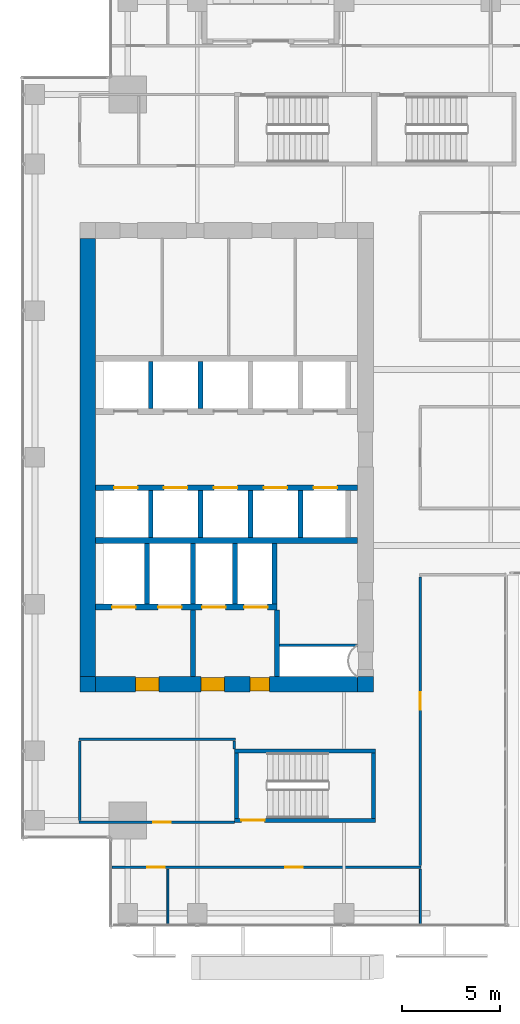
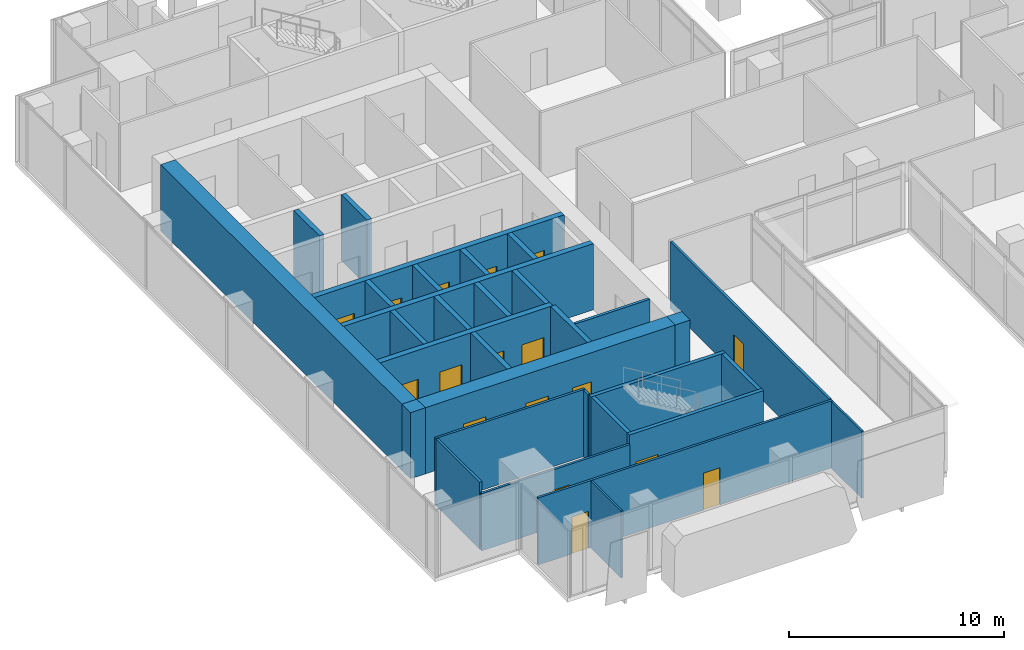
# One storey, part 34 of 40: 32 walls, 17 doors, 17 openings.
"""IFC4 building model written with IfcOpenShell, lengths in metres."""

from ifc_helpers import new_model, si_unit, direction, frame, frame_2d, origin, place, context, subcontext, project, spatial, rectangle, extrude, source, transform, mapped, material, layer, layer_set, type_object, element, fill, save


model = new_model("IFC4")

# Units and contexts
model_context = context("Model", 3, precision=1e-05, world=origin(), true_north=direction((0.0, 1.0)))
body_context = subcontext(model_context, "Body", "Model", "MODEL_VIEW")
ifc_project = project(units=[si_unit("LENGTHUNIT", "METRE"), si_unit("AREAUNIT", "SQUARE_METRE"), si_unit("VOLUMEUNIT", "CUBIC_METRE"), si_unit("PLANEANGLEUNIT", "RADIAN"), si_unit("MASSUNIT", "GRAM", prefix="KILO")], contexts=[model_context])

# Site, building, storey
site_placement = place(None, origin())
site = spatial("IfcSite", under=ifc_project, at=site_placement, CompositionType="ELEMENT")
building_placement = place(site_placement, origin())
building = spatial("IfcBuilding", under=site, at=building_placement, Name="Khomas Fold Tower", CompositionType="ELEMENT")
storey_placement = place(building_placement, frame((0.0, 0.0, 180.699951171875)))
storey = spatial("IfcBuildingStorey", under=building, at=storey_placement, Name="L39", CompositionType="ELEMENT", Elevation=180.699951171875)

# Wall, openings, doors
ifc_material_1 = material(Name="Concrete C60/75", Category="concrete")
ifc_layer_1 = layer(ifc_material_1, 0.800048828125)
ifc_layer_set_1 = layer_set([ifc_layer_1], Name="Concrete C60/75")
wall_type_1 = type_object("IfcWallType", Name="Core wall 800", PredefinedType="SHEAR", material=ifc_layer_set_1)
shared_shape_1 = source(origin(), body_context, "Body", "SweptSolid", [
    extrude(rectangle(XDim=13.39990234375, YDim=0.800048828125, at=frame_2d((6.699951171875, 0.0))), origin(), (0.0, 0.0, 1.0), 3.75),
])
wall_1_placement = place(storey_placement, frame((6.800048828125, 15.39990234375, 0.0), z_axis=(0.0, 0.0, 1.0), x_axis=(1.0, 0.0, 0.0)))
wall_1 = element("IfcWall", 1, at=wall_1_placement, inside=storey, type_object=wall_type_1, Name="Core wall CW-U-S-L35", PredefinedType="SHEAR", context=body_context, shape_type="MappedRepresentation", body=[
    mapped(shared_shape_1, transform((0.0, 0.0, 0.0))),
])
shared_shape_2 = source(origin(), body_context, "Body", "SweptSolid", [
    extrude(rectangle(XDim=1.199951171875, YDim=2.10009765625, at=frame_2d((0.60009765625, 1.050048828125))), frame((0.0, 0.409912109375, 0.0), z_axis=(0.0, -1.0, 0.0), x_axis=(1.0, 0.0, 0.0)), (0.0, 0.0, 1.0), 0.820068359375),
])
opening_1_placement = place(wall_1_placement, frame((5.39990234375, 0.0, 0.0)))
opening_1 = element("IfcOpeningElement", 2, at=opening_1_placement, cuts=wall_1, Name="Opening 0009", PredefinedType="OPENING", context=body_context, shape_type="MappedRepresentation", body=[
    mapped(shared_shape_2, transform((0.0, 0.0, 0.0))),
])
opening_2_placement = place(wall_1_placement, frame((2.050048828125, 0.0, 0.0)))
opening_2 = element("IfcOpeningElement", 3, at=opening_2_placement, cuts=wall_1, Name="Opening 0009", PredefinedType="OPENING", context=body_context, shape_type="MappedRepresentation", body=[
    mapped(shared_shape_2, transform((0.0, 0.0, 0.0))),
])
shared_shape_3 = source(origin(), body_context, "Body", "SweptSolid", [
    extrude(rectangle(XDim=1.0, YDim=2.10009765625, at=frame_2d((0.5, 1.050048828125))), frame((0.0, 0.409912109375, 0.0), z_axis=(0.0, -1.0, 0.0), x_axis=(1.0, 0.0, 0.0)), (0.0, 0.0, 1.0), 0.820068359375),
])
opening_3_placement = place(wall_1_placement, frame((7.89990234375, 0.0, 0.0)))
opening_3 = element("IfcOpeningElement", 4, at=opening_3_placement, cuts=wall_1, Name="Opening 0010", PredefinedType="OPENING", context=body_context, shape_type="MappedRepresentation", body=[
    mapped(shared_shape_3, transform((0.0, 0.0, 0.0))),
])
ifc_material_2 = material(Name="Steel door leaf", Category="steel")
door_type_1 = type_object("IfcDoorType", Name="Lobby door 1200x2100 right-hand", OperationType="SINGLE_SWING_RIGHT", PredefinedType="DOOR", material=ifc_material_2)
shared_shape_4 = source(origin(), body_context, "Body", "SweptSolid", [
    extrude(rectangle(XDim=1.199951171875, YDim=2.10009765625, at=frame_2d((0.60009765625, 1.050048828125))), frame((0.0, 0.35009765625, 0.0), z_axis=(0.0, -1.0, 0.0), x_axis=(1.0, 0.0, 0.0)), (0.0, 0.0, 1.0), 0.699951171875),
])
door_1_placement = place(opening_1_placement, origin())
door_1 = element("IfcDoor", 5, at=door_1_placement, inside=storey, type_object=door_type_1, Name="Lobby door", OperationType="SINGLE_SWING_RIGHT", OverallHeight=2.10009765625, OverallWidth=1.199951171875, PredefinedType="DOOR", context=body_context, shape_type="MappedRepresentation", body=[
    mapped(shared_shape_4, transform((0.0, 0.0, 0.0))),
])
fill(opening_1, door_1)
door_2_placement = place(opening_2_placement, origin())
door_2 = element("IfcDoor", 6, at=door_2_placement, inside=storey, type_object=door_type_1, Name="Lobby door", OperationType="SINGLE_SWING_RIGHT", OverallHeight=2.10009765625, OverallWidth=1.199951171875, PredefinedType="DOOR", context=body_context, shape_type="MappedRepresentation", body=[
    mapped(shared_shape_4, transform((0.0, 0.0, 0.0))),
])
fill(opening_2, door_2)
ifc_material_3 = material(Name="Steel door leaf", Category="steel")
door_type_2 = type_object("IfcDoorType", Name="Stair door 1000x2100 right-hand", OperationType="SINGLE_SWING_RIGHT", PredefinedType="DOOR", material=ifc_material_3)
shared_shape_5 = source(origin(), body_context, "Body", "SweptSolid", [
    extrude(rectangle(XDim=1.0, YDim=2.10009765625, at=frame_2d((0.5, 1.050048828125))), frame((0.0, 0.35009765625, 0.0), z_axis=(0.0, -1.0, 0.0), x_axis=(1.0, 0.0, 0.0)), (0.0, 0.0, 1.0), 0.699951171875),
])
door_3_placement = place(opening_3_placement, origin())
door_3 = element("IfcDoor", 7, at=door_3_placement, inside=storey, type_object=door_type_2, Name="Stair door", OperationType="SINGLE_SWING_RIGHT", OverallHeight=2.10009765625, OverallWidth=1.0, PredefinedType="DOOR", context=body_context, shape_type="MappedRepresentation", body=[
    mapped(shared_shape_5, transform((0.0, 0.0, 0.0))),
])
fill(opening_3, door_3)

# Walls
ifc_material_4 = material(Name="Concrete C60/75", Category="concrete")
ifc_layer_2 = layer(ifc_material_4, 0.800048828125)
ifc_layer_set_2 = layer_set([ifc_layer_2], Name="Concrete C60/75")
wall_type_2 = type_object("IfcWallType", Name="Core corner wall 800", PredefinedType="SHEAR", material=ifc_layer_set_2)
shared_shape_6 = source(origin(), body_context, "Body", "SweptSolid", [
    extrude(rectangle(XDim=0.800048828125, YDim=0.800048828125, at=frame_2d((0.39990234375, 0.0))), origin(), (0.0, 0.0, 1.0), 3.75),
])
for number, where, z_axis, x_axis, name in (
    (8, (20.199951171875, 15.39990234375, 0.0), (0.0, 0.0, 1.0), (1.0, 0.0, 0.0), "Core wall CW-U-SE-L35"),
    (9, (6.0, 15.39990234375, 0.0), (0.0, 0.0, 1.0), (1.0, 0.0, 0.0), "Core wall CW-U-SW-L35"),
):
    element("IfcWall", number, at=place(storey_placement, frame(where, z_axis=z_axis, x_axis=x_axis)), inside=storey, type_object=wall_type_2, Name=name, PredefinedType="SHEAR", context=body_context, shape_type="MappedRepresentation", body=[
        mapped(shared_shape_6, transform((0.0, 0.0, 0.0))),
    ])
shared_shape_7 = source(origin(), body_context, "Body", "SweptSolid", [
    extrude(rectangle(XDim=22.39990234375, YDim=0.800048828125, at=frame_2d((11.199951171875, 0.0))), origin(), (0.0, 0.0, 1.0), 3.75),
])
wall_2_placement = place(storey_placement, frame((6.39990234375, 15.800048828125, 0.0), z_axis=(0.0, 0.0, 1.0), x_axis=(0.0, 1.0, 0.0)))
element("IfcWall", 10, at=wall_2_placement, inside=storey, type_object=wall_type_1, Name="Core wall CW-U-W-L35", PredefinedType="SHEAR", context=body_context, shape_type="MappedRepresentation", body=[
    mapped(shared_shape_7, transform((0.0, 0.0, 0.0))),
])
ifc_material_5 = material(Name="Concrete C50/60", Category="concrete")
ifc_layer_3 = layer(ifc_material_5, 0.199951171875)
ifc_layer_set_3 = layer_set([ifc_layer_3], Name="Concrete C50/60")
wall_type_3 = type_object("IfcWallType", Name="Stair wall 200", PredefinedType="SHEAR", material=ifc_layer_set_3)
shared_shape_8 = source(origin(), body_context, "Body", "SweptSolid", [
    extrude(rectangle(XDim=7.2001953125, YDim=0.199951171875, at=frame_2d((3.60009765625, 0.0))), origin(), (0.0, 0.0, 1.0), 3.75),
])
wall_3_placement = place(storey_placement, frame((13.89990234375, 12.0, 0.0), z_axis=(0.0, 0.0, 1.0), x_axis=(1.0, 0.0, 0.0)))
element("IfcWall", 11, at=wall_3_placement, inside=storey, type_object=wall_type_3, Name="Stair wall SW-ST2-NH", PredefinedType="SHEAR", context=body_context, shape_type="MappedRepresentation", body=[
    mapped(shared_shape_8, transform((0.0, 0.0, 0.0))),
])

# Wall, opening, door
wall_4_placement = place(storey_placement, frame((13.89990234375, 8.449951171875, 0.0), z_axis=(0.0, 0.0, 1.0), x_axis=(1.0, 0.0, 0.0)))
wall_4 = element("IfcWall", 12, at=wall_4_placement, inside=storey, type_object=wall_type_3, Name="Stair wall SW-ST2-S", PredefinedType="SHEAR", context=body_context, shape_type="MappedRepresentation", body=[
    mapped(shared_shape_8, transform((0.0, 0.0, 0.0))),
])
shared_shape_9 = source(origin(), body_context, "Body", "SweptSolid", [
    extrude(rectangle(XDim=1.199951171875, YDim=2.10009765625, at=frame_2d((0.60009765625, 1.050048828125))), frame((0.0, 0.10986328125, 0.0), z_axis=(0.0, -1.0, 0.0), x_axis=(1.0, 0.0, 0.0)), (0.0, 0.0, 1.0), 0.219970703125),
])
opening_4_placement = place(wall_4_placement, frame((0.35009765625, 0.0, 0.0)))
opening_4 = element("IfcOpeningElement", 13, at=opening_4_placement, cuts=wall_4, Name="Opening SD-ST2", PredefinedType="OPENING", context=body_context, shape_type="MappedRepresentation", body=[
    mapped(shared_shape_9, transform((0.0, 0.0, 0.0))),
])
ifc_material_6 = material(Name="Steel door leaf", Category="steel")
door_type_3 = type_object("IfcDoorType", Name="Stair door 1200x2100 right-hand", OperationType="SINGLE_SWING_RIGHT", PredefinedType="DOOR", material=ifc_material_6)
shared_shape_10 = source(origin(), body_context, "Body", "SweptSolid", [
    extrude(rectangle(XDim=1.199951171875, YDim=2.10009765625, at=frame_2d((0.60009765625, 1.050048828125))), frame((0.0, 0.02490234375, 0.0), z_axis=(0.0, -1.0, 0.0), x_axis=(1.0, 0.0, 0.0)), (0.0, 0.0, 1.0), 0.050048828125),
])
door_4_placement = place(opening_4_placement, origin())
door_4 = element("IfcDoor", 14, at=door_4_placement, inside=storey, type_object=door_type_3, Name="Stair door", OperationType="SINGLE_SWING_RIGHT", OverallHeight=2.10009765625, OverallWidth=1.199951171875, PredefinedType="DOOR", context=body_context, shape_type="MappedRepresentation", body=[
    mapped(shared_shape_10, transform((0.0, 0.0, 0.0))),
])
fill(opening_4, door_4)

# Walls
shared_shape_11 = source(origin(), body_context, "Body", "SweptSolid", [
    extrude(rectangle(XDim=3.349853515625, YDim=0.199951171875, at=frame_2d((1.6748046875, 0.0))), origin(), (0.0, 0.0, 1.0), 3.75),
])
for number, where, z_axis, x_axis, name in (
    (15, (21.0, 8.550048828125, 0.0), (0.0, 0.0, 1.0), (0.0, 1.0, 0.0), "Stair wall SW-ST2-E"),
    (16, (14.0, 8.550048828125, 0.0), (0.0, 0.0, 1.0), (0.0, 1.0, 0.0), "Stair wall SW-ST2-W"),
):
    element("IfcWall", number, at=place(storey_placement, frame(where, z_axis=z_axis, x_axis=x_axis)), inside=storey, type_object=wall_type_3, Name=name, PredefinedType="SHEAR", context=body_context, shape_type="MappedRepresentation", body=[
        mapped(shared_shape_11, transform((0.0, 0.0, 0.0))),
    ])
ifc_material_7 = material(Name="Concrete C50/60", Category="concrete")
ifc_layer_4 = layer(ifc_material_7, 0.300048828125)
ifc_layer_set_4 = layer_set([ifc_layer_4], Name="Concrete C50/60")
wall_type_4 = type_object("IfcWallType", Name="Shaft wall 300", PredefinedType="STANDARD", material=ifc_layer_set_4)
shared_shape_12 = source(origin(), body_context, "Body", "SweptSolid", [
    extrude(rectangle(XDim=13.39990234375, YDim=0.300048828125, at=frame_2d((6.699951171875, 0.0))), origin(), (0.0, 0.0, 1.0), 3.75),
])
wall_5_placement = place(storey_placement, frame((6.800048828125, 22.75, 0.0), z_axis=(0.0, 0.0, 1.0), x_axis=(1.0, 0.0, 0.0)))
element("IfcWall", 17, at=wall_5_placement, inside=storey, type_object=wall_type_4, Name="Core wall SW-FS-B", PredefinedType="STANDARD", context=body_context, shape_type="MappedRepresentation", body=[
    mapped(shared_shape_12, transform((0.0, 0.0, 0.0))),
])

# Wall, openings, doors
wall_6_placement = place(storey_placement, frame((6.800048828125, 25.449951171875, 0.0), z_axis=(0.0, 0.0, 1.0), x_axis=(1.0, 0.0, 0.0)))
wall_6 = element("IfcWall", 18, at=wall_6_placement, inside=storey, type_object=wall_type_4, Name="Core wall SW-HRS-F", PredefinedType="STANDARD", context=body_context, shape_type="MappedRepresentation", body=[
    mapped(shared_shape_12, transform((0.0, 0.0, 0.0))),
])
shared_shape_13 = source(origin(), body_context, "Body", "SweptSolid", [
    extrude(rectangle(XDim=1.199951171875, YDim=2.10009765625, at=frame_2d((0.60009765625, 1.050048828125))), frame((0.0, 0.159912109375, 0.0), z_axis=(0.0, -1.0, 0.0), x_axis=(1.0, 0.0, 0.0)), (0.0, 0.0, 1.0), 0.320068359375),
])
opening_5_placement = place(wall_6_placement, frame((0.949951171875, 0.0, 0.0)))
opening_5 = element("IfcOpeningElement", 19, at=opening_5_placement, cuts=wall_6, Name="Opening LD-HR1", PredefinedType="OPENING", context=body_context, shape_type="MappedRepresentation", body=[
    mapped(shared_shape_13, transform((0.0, 0.0, 0.0))),
])
opening_6_placement = place(wall_6_placement, frame((3.5, 0.0, 0.0)))
opening_6 = element("IfcOpeningElement", 20, at=opening_6_placement, cuts=wall_6, Name="Opening LD-HR2", PredefinedType="OPENING", context=body_context, shape_type="MappedRepresentation", body=[
    mapped(shared_shape_13, transform((0.0, 0.0, 0.0))),
])
opening_7_placement = place(wall_6_placement, frame((6.050048828125, 0.0, 0.0)))
opening_7 = element("IfcOpeningElement", 21, at=opening_7_placement, cuts=wall_6, Name="Opening LD-HR3", PredefinedType="OPENING", context=body_context, shape_type="MappedRepresentation", body=[
    mapped(shared_shape_13, transform((0.0, 0.0, 0.0))),
])
opening_8_placement = place(wall_6_placement, frame((8.60009765625, 0.0, 0.0)))
opening_8 = element("IfcOpeningElement", 22, at=opening_8_placement, cuts=wall_6, Name="Opening LD-MR1", PredefinedType="OPENING", context=body_context, shape_type="MappedRepresentation", body=[
    mapped(shared_shape_13, transform((0.0, 0.0, 0.0))),
])
opening_9_placement = place(wall_6_placement, frame((11.14990234375, 0.0, 0.0)))
opening_9 = element("IfcOpeningElement", 23, at=opening_9_placement, cuts=wall_6, Name="Opening LD-MR2", PredefinedType="OPENING", context=body_context, shape_type="MappedRepresentation", body=[
    mapped(shared_shape_13, transform((0.0, 0.0, 0.0))),
])
ifc_material_8 = material(Name="Steel door leaf", Category="steel")
door_type_4 = type_object("IfcDoorType", Name="Landing door 1200x2100", OperationType="DOUBLE_DOOR_SLIDING", PredefinedType="DOOR", material=ifc_material_8)
door_5_placement = place(opening_5_placement, origin())
door_5 = element("IfcDoor", 24, at=door_5_placement, inside=storey, type_object=door_type_4, Name="Lift landing door", OperationType="DOUBLE_DOOR_SLIDING", OverallHeight=2.10009765625, OverallWidth=1.199951171875, PredefinedType="DOOR", context=body_context, shape_type="MappedRepresentation", body=[
    mapped(shared_shape_10, transform((0.0, 0.0, 0.0))),
])
fill(opening_5, door_5)
door_6_placement = place(opening_6_placement, origin())
door_6 = element("IfcDoor", 25, at=door_6_placement, inside=storey, type_object=door_type_4, Name="Lift landing door", OperationType="DOUBLE_DOOR_SLIDING", OverallHeight=2.10009765625, OverallWidth=1.199951171875, PredefinedType="DOOR", context=body_context, shape_type="MappedRepresentation", body=[
    mapped(shared_shape_10, transform((0.0, 0.0, 0.0))),
])
fill(opening_6, door_6)
door_7_placement = place(opening_7_placement, origin())
door_7 = element("IfcDoor", 26, at=door_7_placement, inside=storey, type_object=door_type_4, Name="Lift landing door", OperationType="DOUBLE_DOOR_SLIDING", OverallHeight=2.10009765625, OverallWidth=1.199951171875, PredefinedType="DOOR", context=body_context, shape_type="MappedRepresentation", body=[
    mapped(shared_shape_10, transform((0.0, 0.0, 0.0))),
])
fill(opening_7, door_7)
door_8_placement = place(opening_8_placement, origin())
door_8 = element("IfcDoor", 27, at=door_8_placement, inside=storey, type_object=door_type_4, Name="Lift landing door", OperationType="DOUBLE_DOOR_SLIDING", OverallHeight=2.10009765625, OverallWidth=1.199951171875, PredefinedType="DOOR", context=body_context, shape_type="MappedRepresentation", body=[
    mapped(shared_shape_10, transform((0.0, 0.0, 0.0))),
])
fill(opening_8, door_8)
door_9_placement = place(opening_9_placement, origin())
door_9 = element("IfcDoor", 28, at=door_9_placement, inside=storey, type_object=door_type_4, Name="Lift landing door", OperationType="DOUBLE_DOOR_SLIDING", OverallHeight=2.10009765625, OverallWidth=1.199951171875, PredefinedType="DOOR", context=body_context, shape_type="MappedRepresentation", body=[
    mapped(shared_shape_10, transform((0.0, 0.0, 0.0))),
])
fill(opening_9, door_9)

shared_shape_14 = source(origin(), body_context, "Body", "SweptSolid", [
    extrude(rectangle(XDim=9.27490234375, YDim=0.300048828125, at=frame_2d((4.637451171875, 0.0))), origin(), (0.0, 0.0, 1.0), 3.75),
])
wall_7_placement = place(storey_placement, frame((6.800048828125, 19.35009765625, 0.0), z_axis=(0.0, 0.0, 1.0), x_axis=(1.0, 0.0, 0.0)))
wall_7 = element("IfcWall", 29, at=wall_7_placement, inside=storey, type_object=wall_type_4, Name="Core wall SW-FS-F", PredefinedType="STANDARD", context=body_context, shape_type="MappedRepresentation", body=[
    mapped(shared_shape_14, transform((0.0, 0.0, 0.0))),
])
opening_10_placement = place(wall_7_placement, frame((0.85009765625, 0.0, 0.0)))
opening_10 = element("IfcOpeningElement", 30, at=opening_10_placement, cuts=wall_7, Name="Opening LD-SV1", PredefinedType="OPENING", context=body_context, shape_type="MappedRepresentation", body=[
    mapped(shared_shape_13, transform((0.0, 0.0, 0.0))),
])
opening_11_placement = place(wall_7_placement, frame((3.199951171875, 0.0, 0.0)))
opening_11 = element("IfcOpeningElement", 31, at=opening_11_placement, cuts=wall_7, Name="Opening LD-SV2", PredefinedType="OPENING", context=body_context, shape_type="MappedRepresentation", body=[
    mapped(shared_shape_13, transform((0.0, 0.0, 0.0))),
])
opening_12_placement = place(wall_7_placement, frame((5.449951171875, 0.0, 0.0)))
opening_12 = element("IfcOpeningElement", 32, at=opening_12_placement, cuts=wall_7, Name="Opening LD-FF1", PredefinedType="OPENING", context=body_context, shape_type="MappedRepresentation", body=[
    mapped(shared_shape_13, transform((0.0, 0.0, 0.0))),
])
opening_13_placement = place(wall_7_placement, frame((7.60009765625, 0.0, 0.0)))
opening_13 = element("IfcOpeningElement", 33, at=opening_13_placement, cuts=wall_7, Name="Opening LD-FF2", PredefinedType="OPENING", context=body_context, shape_type="MappedRepresentation", body=[
    mapped(shared_shape_13, transform((0.0, 0.0, 0.0))),
])
door_10_placement = place(opening_10_placement, origin())
door_10 = element("IfcDoor", 34, at=door_10_placement, inside=storey, type_object=door_type_4, Name="Lift landing door", OperationType="DOUBLE_DOOR_SLIDING", OverallHeight=2.10009765625, OverallWidth=1.199951171875, PredefinedType="DOOR", context=body_context, shape_type="MappedRepresentation", body=[
    mapped(shared_shape_10, transform((0.0, 0.0, 0.0))),
])
fill(opening_10, door_10)
door_11_placement = place(opening_11_placement, origin())
door_11 = element("IfcDoor", 35, at=door_11_placement, inside=storey, type_object=door_type_4, Name="Lift landing door", OperationType="DOUBLE_DOOR_SLIDING", OverallHeight=2.10009765625, OverallWidth=1.199951171875, PredefinedType="DOOR", context=body_context, shape_type="MappedRepresentation", body=[
    mapped(shared_shape_10, transform((0.0, 0.0, 0.0))),
])
fill(opening_11, door_11)
door_12_placement = place(opening_12_placement, origin())
door_12 = element("IfcDoor", 36, at=door_12_placement, inside=storey, type_object=door_type_4, Name="Lift landing door", OperationType="DOUBLE_DOOR_SLIDING", OverallHeight=2.10009765625, OverallWidth=1.199951171875, PredefinedType="DOOR", context=body_context, shape_type="MappedRepresentation", body=[
    mapped(shared_shape_10, transform((0.0, 0.0, 0.0))),
])
fill(opening_12, door_12)
door_13_placement = place(opening_13_placement, origin())
door_13 = element("IfcDoor", 37, at=door_13_placement, inside=storey, type_object=door_type_4, Name="Lift landing door", OperationType="DOUBLE_DOOR_SLIDING", OverallHeight=2.10009765625, OverallWidth=1.199951171875, PredefinedType="DOOR", context=body_context, shape_type="MappedRepresentation", body=[
    mapped(shared_shape_10, transform((0.0, 0.0, 0.0))),
])
fill(opening_13, door_13)

# Walls
ifc_material_9 = material(Name="Concrete C50/60", Category="concrete")
ifc_layer_5 = layer(ifc_material_9, 0.25)
ifc_layer_set_5 = layer_set([ifc_layer_5], Name="Concrete C50/60")
wall_type_5 = type_object("IfcWallType", Name="Shaft wall 250", PredefinedType="STANDARD", material=ifc_layer_set_5)
shared_shape_15 = source(origin(), body_context, "Body", "SweptSolid", [
    extrude(rectangle(XDim=3.10009765625, YDim=0.25, at=frame_2d((1.550048828125, 0.0))), origin(), (0.0, 0.0, 1.0), 3.75),
])
for number, where, z_axis, x_axis, name in (
    (38, (9.425048828125, 19.5, 0.0), (0.0, 0.0, 1.0), (0.0, 1.0, 0.0), "Core wall SW-FS-P1"),
    (39, (11.77490234375, 19.5, 0.0), (0.0, 0.0, 1.0), (0.0, 1.0, 0.0), "Core wall SW-FS-P2"),
    (40, (13.925048828125, 19.5, 0.0), (0.0, 0.0, 1.0), (0.0, 1.0, 0.0), "Core wall SW-FS-P3"),
    (41, (15.949951171875, 19.5, 0.0), (0.0, 0.0, 1.0), (0.0, 1.0, 0.0), "Core wall SW-FS-PE"),
):
    element("IfcWall", number, at=place(storey_placement, frame(where, z_axis=z_axis, x_axis=x_axis)), inside=storey, type_object=wall_type_5, Name=name, PredefinedType="STANDARD", context=body_context, shape_type="MappedRepresentation", body=[
        mapped(shared_shape_15, transform((0.0, 0.0, 0.0))),
    ])
shared_shape_16 = source(origin(), body_context, "Body", "SweptSolid", [
    extrude(rectangle(XDim=2.39990234375, YDim=0.25, at=frame_2d((1.199951171875, 0.0))), origin(), (0.0, 0.0, 1.0), 3.75),
])
for number, where, z_axis, x_axis, name in (
    (42, (9.625, 29.5, 0.0), (0.0, 0.0, 1.0), (0.0, 1.0, 0.0), "Core wall SW-HRN-P1"),
    (43, (12.175048828125, 29.5, 0.0), (0.0, 0.0, 1.0), (0.0, 1.0, 0.0), "Core wall SW-HRN-P2"),
):
    element("IfcWall", number, at=place(storey_placement, frame(where, z_axis=z_axis, x_axis=x_axis)), inside=storey, type_object=wall_type_5, Name=name, PredefinedType="STANDARD", context=body_context, shape_type="MappedRepresentation", body=[
        mapped(shared_shape_16, transform((0.0, 0.0, 0.0))),
    ])
shared_shape_17 = source(origin(), body_context, "Body", "SweptSolid", [
    extrude(rectangle(XDim=2.400146484375, YDim=0.25, at=frame_2d((1.2001953125, 0.0))), origin(), (0.0, 0.0, 1.0), 3.75),
])
for number, where, z_axis, x_axis, name in (
    (44, (17.27490234375, 22.89990234375, 0.0), (0.0, 0.0, 1.0), (0.0, 1.0, 0.0), "Core wall SW-HRS-MR-P1"),
    (45, (9.625, 22.89990234375, 0.0), (0.0, 0.0, 1.0), (0.0, 1.0, 0.0), "Core wall SW-HRS-P1"),
    (46, (12.175048828125, 22.89990234375, 0.0), (0.0, 0.0, 1.0), (0.0, 1.0, 0.0), "Core wall SW-HRS-P2"),
    (47, (14.72509765625, 22.89990234375, 0.0), (0.0, 0.0, 1.0), (0.0, 1.0, 0.0), "Core wall SW-HRS-PE"),
):
    element("IfcWall", number, at=place(storey_placement, frame(where, z_axis=z_axis, x_axis=x_axis)), inside=storey, type_object=wall_type_5, Name=name, PredefinedType="STANDARD", context=body_context, shape_type="MappedRepresentation", body=[
        mapped(shared_shape_17, transform((0.0, 0.0, 0.0))),
    ])
ifc_material_10 = material(Name="Concrete C50/60", Category="concrete")
ifc_layer_6 = layer(ifc_material_10, 0.25)
ifc_layer_set_6 = layer_set([ifc_layer_6], Name="Concrete C50/60")
wall_type_6 = type_object("IfcWallType", Name="Lobby wall 250", PredefinedType="STANDARD", material=ifc_layer_set_6)
shared_shape_18 = source(origin(), body_context, "Body", "SweptSolid", [
    extrude(rectangle(XDim=3.39990234375, YDim=0.25, at=frame_2d((1.699951171875, 0.0))), origin(), (0.0, 0.0, 1.0), 3.75),
])
for number, where, z_axis, x_axis, name in (
    (48, (16.074951171875, 15.800048828125, 0.0), (0.0, 0.0, 1.0), (0.0, 1.0, 0.0), "Core wall SW-FS-LOB-E"),
    (49, (11.77490234375, 15.800048828125, 0.0), (0.0, 0.0, 1.0), (0.0, 1.0, 0.0), "Core wall SW-FS-SEP"),
):
    element("IfcWall", number, at=place(storey_placement, frame(where, z_axis=z_axis, x_axis=x_axis)), inside=storey, type_object=wall_type_6, Name=name, PredefinedType="STANDARD", context=body_context, shape_type="MappedRepresentation", body=[
        mapped(shared_shape_18, transform((0.0, 0.0, 0.0))),
    ])

# Wall, opening, door
ifc_material_11 = material(Name="Plasterboard partition")
ifc_layer_7 = layer(ifc_material_11, 0.125)
ifc_layer_set_7 = layer_set([ifc_layer_7], Name="Plasterboard partition")
wall_type_7 = type_object("IfcWallType", Name="Partition PW2 125", PredefinedType="PARTITIONING", material=ifc_layer_set_7)
shared_shape_19 = source(origin(), body_context, "Body", "SweptSolid", [
    extrude(rectangle(XDim=7.949951171875, YDim=0.125, at=frame_2d((3.97509765625, 0.0))), origin(), (0.0, 0.0, 1.0), 3.25),
])
wall_8_placement = place(storey_placement, frame((5.949951171875, 8.35009765625, 0.0), z_axis=(0.0, 0.0, 1.0), x_axis=(1.0, 0.0, 0.0)))
wall_8 = element("IfcWall", 50, at=wall_8_placement, inside=storey, type_object=wall_type_7, Name="Partition", PredefinedType="PARTITIONING", context=body_context, shape_type="MappedRepresentation", body=[
    mapped(shared_shape_19, transform((0.0, 0.0, 0.0))),
])
shared_shape_20 = source(origin(), body_context, "Body", "SweptSolid", [
    extrude(rectangle(XDim=0.89990234375, YDim=2.10009765625, at=frame_2d((0.449951171875, 1.050048828125))), frame((0.0, 0.072509765625, 0.0), z_axis=(0.0, -1.0, 0.0), x_axis=(1.0, 0.0, 0.0)), (0.0, 0.0, 1.0), 0.14501953125),
])
opening_14_placement = place(wall_8_placement, frame((3.800048828125, 0.0, 0.0)))
opening_14 = element("IfcOpeningElement", 51, at=opening_14_placement, cuts=wall_8, Name="Opening 0007", PredefinedType="OPENING", context=body_context, shape_type="MappedRepresentation", body=[
    mapped(shared_shape_20, transform((0.0, 0.0, 0.0))),
])
ifc_material_12 = material(Name="Timber door leaf", Category="wood")
door_type_5 = type_object("IfcDoorType", Name="Door 900x2100 left-hand", OperationType="SINGLE_SWING_LEFT", PredefinedType="DOOR", material=ifc_material_12)
shared_shape_21 = source(origin(), body_context, "Body", "SweptSolid", [
    extrude(rectangle(XDim=0.89990234375, YDim=2.10009765625, at=frame_2d((0.449951171875, 1.050048828125))), frame((0.0, 0.02490234375, 0.0), z_axis=(0.0, -1.0, 0.0), x_axis=(1.0, 0.0, 0.0)), (0.0, 0.0, 1.0), 0.050048828125),
])
door_14_placement = place(opening_14_placement, origin())
door_14 = element("IfcDoor", 52, at=door_14_placement, inside=storey, type_object=door_type_5, Name="Door", OperationType="SINGLE_SWING_LEFT", OverallHeight=2.10009765625, OverallWidth=0.89990234375, PredefinedType="DOOR", context=body_context, shape_type="MappedRepresentation", body=[
    mapped(shared_shape_21, transform((0.0, 0.0, 0.0))),
])
fill(opening_14, door_14)

# Walls
shared_shape_22 = source(origin(), body_context, "Body", "SweptSolid", [
    extrude(rectangle(XDim=4.050048828125, YDim=0.125, at=frame_2d((2.02490234375, 0.0))), origin(), (0.0, 0.0, 1.0), 3.800048828125),
])
wall_9_placement = place(storey_placement, frame((6.0, 8.449951171875, 0.0), z_axis=(0.0, 0.0, 1.0), x_axis=(0.0, 1.0, 0.0)))
element("IfcWall", 53, at=wall_9_placement, inside=storey, type_object=wall_type_7, Name="Partition", PredefinedType="PARTITIONING", context=body_context, shape_type="MappedRepresentation", body=[
    mapped(shared_shape_22, transform((0.0, 0.0, 0.0))),
])
shared_shape_23 = source(origin(), body_context, "Body", "SweptSolid", [
    extrude(rectangle(XDim=0.39990234375, YDim=0.125, at=frame_2d((0.199951171875, 0.0))), origin(), (0.0, 0.0, 1.0), 3.800048828125),
])
wall_10_placement = place(storey_placement, frame((13.89990234375, 12.10009765625, 0.0), z_axis=(0.0, 0.0, 1.0), x_axis=(0.0, 1.0, 0.0)))
element("IfcWall", 54, at=wall_10_placement, inside=storey, type_object=wall_type_7, Name="Partition", PredefinedType="PARTITIONING", context=body_context, shape_type="MappedRepresentation", body=[
    mapped(shared_shape_23, transform((0.0, 0.0, 0.0))),
])
shared_shape_24 = source(origin(), body_context, "Body", "SweptSolid", [
    extrude(rectangle(XDim=8.0, YDim=0.125, at=frame_2d((4.0, 0.0))), origin(), (0.0, 0.0, 1.0), 3.800048828125),
])
wall_11_placement = place(storey_placement, frame((5.949951171875, 12.60009765625, 0.0), z_axis=(0.0, 0.0, 1.0), x_axis=(1.0, 0.0, 0.0)))
element("IfcWall", 55, at=wall_11_placement, inside=storey, type_object=wall_type_7, Name="Partition", PredefinedType="PARTITIONING", context=body_context, shape_type="MappedRepresentation", body=[
    mapped(shared_shape_24, transform((0.0, 0.0, 0.0))),
])
ifc_material_13 = material(Name="Plasterboard fire partition")
ifc_layer_8 = layer(ifc_material_13, 0.14990234375)
ifc_layer_set_8 = layer_set([ifc_layer_8], Name="Plasterboard fire partition")
wall_type_8 = type_object("IfcWallType", Name="Plant room wall PW3 150", PredefinedType="PARTITIONING", material=ifc_layer_set_8)
shared_shape_25 = source(origin(), body_context, "Body", "SweptSolid", [
    extrude(rectangle(XDim=4.0, YDim=0.14990234375, at=frame_2d((2.0, 0.0))), origin(), (0.0, 0.0, 1.0), 3.800048828125),
])
wall_12_placement = place(storey_placement, frame((16.199951171875, 17.39990234375, 0.0), z_axis=(0.0, 0.0, 1.0), x_axis=(1.0, 0.0, 0.0)))
element("IfcWall", 56, at=wall_12_placement, inside=storey, type_object=wall_type_8, Name="Plant room wall", PredefinedType="PARTITIONING", context=body_context, shape_type="MappedRepresentation", body=[
    mapped(shared_shape_25, transform((0.0, 0.0, 0.0))),
])
ifc_material_14 = material(Name="Plasterboard partition")
ifc_layer_9 = layer(ifc_material_14, 0.10009765625)
ifc_layer_set_9 = layer_set([ifc_layer_9], Name="Plasterboard partition")
wall_type_9 = type_object("IfcWallType", Name="Partition PW1 100", PredefinedType="PARTITIONING", material=ifc_layer_set_9)
shared_shape_26 = source(origin(), body_context, "Body", "SweptSolid", [
    extrude(rectangle(XDim=2.800048828125, YDim=0.10009765625, at=frame_2d((1.39990234375, 0.0))), origin(), (0.0, 0.0, 1.0), 3.800048828125),
])
for number, where, z_axis, x_axis, name in (
    (57, (10.5, 3.14990234375, 0.0), (0.0, 0.0, 1.0), (0.0, 1.0, 0.0), "Partition"),
    (58, (23.39990234375, 3.14990234375, 0.0), (0.0, 0.0, 1.0), (0.0, 1.0, 0.0), "Partition"),
):
    element("IfcWall", number, at=place(storey_placement, frame(where, z_axis=z_axis, x_axis=x_axis)), inside=storey, type_object=wall_type_9, Name=name, PredefinedType="PARTITIONING", context=body_context, shape_type="MappedRepresentation", body=[
        mapped(shared_shape_26, transform((0.0, 0.0, 0.0))),
    ])

# Wall, openings, doors
shared_shape_27 = source(origin(), body_context, "Body", "SweptSolid", [
    extrude(rectangle(XDim=15.800048828125, YDim=0.125, at=frame_2d((7.89990234375, 0.0))), origin(), (0.0, 0.0, 1.0), 3.800048828125),
])
wall_13_placement = place(storey_placement, frame((7.64990234375, 6.050048828125, 0.0), z_axis=(0.0, 0.0, 1.0), x_axis=(1.0, 0.0, 0.0)))
wall_13 = element("IfcWall", 59, at=wall_13_placement, inside=storey, type_object=wall_type_7, Name="Partition", PredefinedType="PARTITIONING", context=body_context, shape_type="MappedRepresentation", body=[
    mapped(shared_shape_27, transform((0.0, 0.0, 0.0))),
])
opening_15_placement = place(wall_13_placement, frame((1.800048828125, 0.0, 0.0)))
opening_15 = element("IfcOpeningElement", 60, at=opening_15_placement, cuts=wall_13, Name="Opening 0008", PredefinedType="OPENING", context=body_context, shape_type="MappedRepresentation", body=[
    mapped(shared_shape_20, transform((0.0, 0.0, 0.0))),
])
opening_16_placement = place(wall_13_placement, frame((8.85009765625, 0.0, 0.0)))
opening_16 = element("IfcOpeningElement", 61, at=opening_16_placement, cuts=wall_13, Name="Opening 0007", PredefinedType="OPENING", context=body_context, shape_type="MappedRepresentation", body=[
    mapped(shared_shape_20, transform((0.0, 0.0, 0.0))),
])
ifc_material_15 = material(Name="Timber door leaf", Category="wood")
door_type_6 = type_object("IfcDoorType", Name="Door 900x2100 right-hand", OperationType="SINGLE_SWING_RIGHT", PredefinedType="DOOR", material=ifc_material_15)
door_15_placement = place(opening_15_placement, origin())
door_15 = element("IfcDoor", 62, at=door_15_placement, inside=storey, type_object=door_type_6, Name="Door", OperationType="SINGLE_SWING_RIGHT", OverallHeight=2.10009765625, OverallWidth=0.89990234375, PredefinedType="DOOR", context=body_context, shape_type="MappedRepresentation", body=[
    mapped(shared_shape_21, transform((0.0, 0.0, 0.0))),
])
fill(opening_15, door_15)
door_16_placement = place(opening_16_placement, origin())
door_16 = element("IfcDoor", 63, at=door_16_placement, inside=storey, type_object=door_type_5, Name="Door", OperationType="SINGLE_SWING_LEFT", OverallHeight=2.10009765625, OverallWidth=0.89990234375, PredefinedType="DOOR", context=body_context, shape_type="MappedRepresentation", body=[
    mapped(shared_shape_21, transform((0.0, 0.0, 0.0))),
])
fill(opening_16, door_16)

# Wall, opening, door
shared_shape_28 = source(origin(), body_context, "Body", "SweptSolid", [
    extrude(rectangle(XDim=14.75, YDim=0.125, at=frame_2d((7.375, 0.0))), origin(), (0.0, 0.0, 1.0), 3.800048828125),
])
wall_14_placement = place(storey_placement, frame((23.39990234375, 6.14990234375, 0.0), z_axis=(0.0, 0.0, 1.0), x_axis=(0.0, 1.0, 0.0)))
wall_14 = element("IfcWall", 64, at=wall_14_placement, inside=storey, type_object=wall_type_7, Name="Partition", PredefinedType="PARTITIONING", context=body_context, shape_type="MappedRepresentation", body=[
    mapped(shared_shape_28, transform((0.0, 0.0, 0.0))),
])
opening_17_placement = place(wall_14_placement, frame((7.949951171875, 0.0, 0.0)))
opening_17 = element("IfcOpeningElement", 65, at=opening_17_placement, cuts=wall_14, Name="Opening 0007", PredefinedType="OPENING", context=body_context, shape_type="MappedRepresentation", body=[
    mapped(shared_shape_20, transform((0.0, 0.0, 0.0))),
])
door_17_placement = place(opening_17_placement, origin())
door_17 = element("IfcDoor", 66, at=door_17_placement, inside=storey, type_object=door_type_5, Name="Door", OperationType="SINGLE_SWING_LEFT", OverallHeight=2.10009765625, OverallWidth=0.89990234375, PredefinedType="DOOR", context=body_context, shape_type="MappedRepresentation", body=[
    mapped(shared_shape_21, transform((0.0, 0.0, 0.0))),
])
fill(opening_17, door_17)

save(model, "model.ifc")
